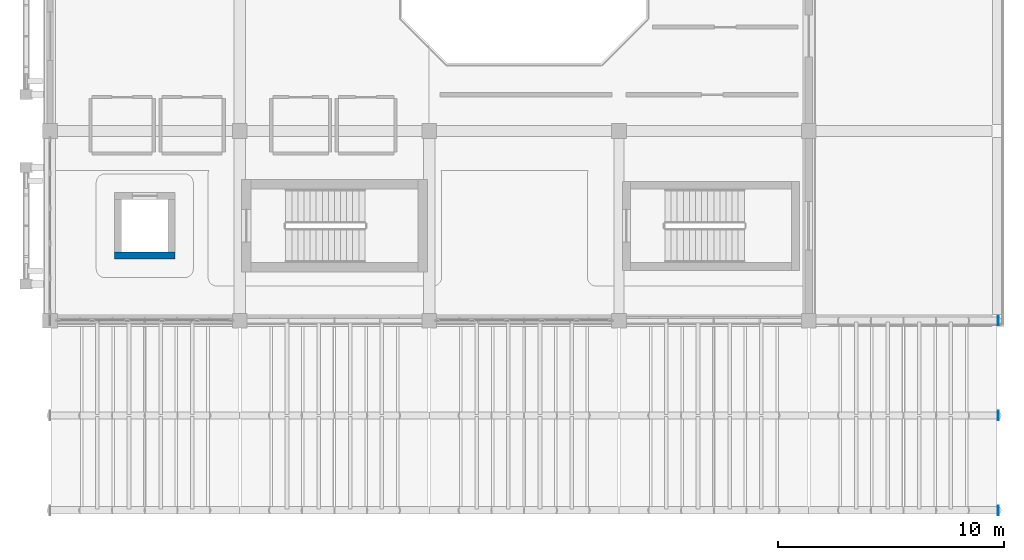
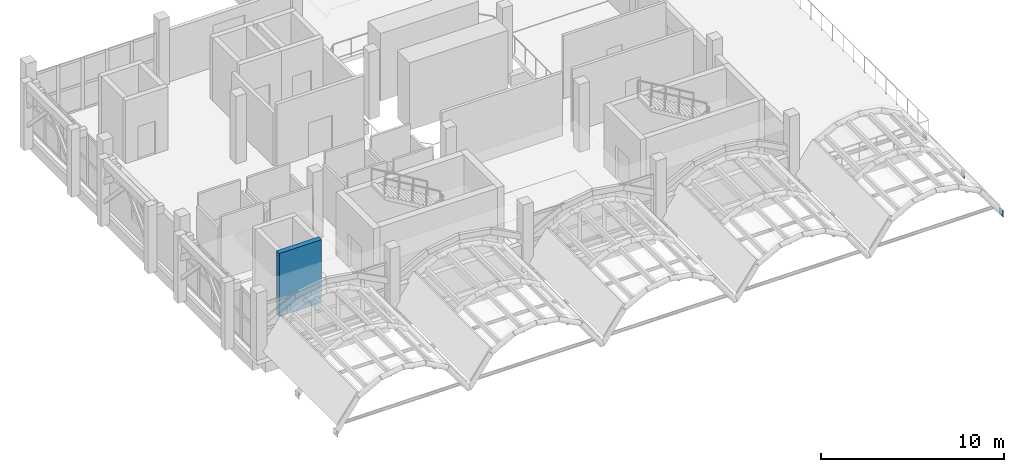
# One storey, part 15 of 22: 3 plates, 1 wall.
"""IFC4 building model written with IfcOpenShell, lengths in metres."""

from ifc_helpers import new_model, si_unit, direction, frame, frame_2d, origin, origin_2d, place, context, subcontext, project, spatial, rectangle, extrude, material, layer, layer_set, type_object, element, save


model = new_model("IFC4")

# Units and contexts
model_context = context("Model", 3, precision=1e-05, world=origin(), true_north=direction((0.0, 1.0)))
body_context = subcontext(model_context, "Body", "Model", "MODEL_VIEW")
ifc_project = project(units=[si_unit("LENGTHUNIT", "METRE"), si_unit("AREAUNIT", "SQUARE_METRE"), si_unit("VOLUMEUNIT", "CUBIC_METRE"), si_unit("PLANEANGLEUNIT", "RADIAN"), si_unit("MASSUNIT", "GRAM", prefix="KILO")], contexts=[model_context])

# Site, building, storey
site_placement = place(None, origin())
site = spatial("IfcSite", under=ifc_project, at=site_placement, CompositionType="ELEMENT")
building_placement = place(site_placement, origin())
building = spatial("IfcBuilding", under=site, at=building_placement, Name="Xazarin Passage Department Store", CompositionType="ELEMENT")
storey_placement = place(building_placement, frame((0.0, 0.0, 27.89990234375)))
storey = spatial("IfcBuildingStorey", under=building, at=storey_placement, Name="L06", CompositionType="ELEMENT", Elevation=27.89990234375)

# Plates
ifc_material_1 = material(Name="Steel S355", Category="steel")
ifc_layer_1 = layer(ifc_material_1, 0.02001953125)
ifc_layer_set_1 = layer_set([ifc_layer_1], Name="Steel S355")
plate_type = type_object("IfcPlateType", Name="STR-PLT-CAP20", PredefinedType="USERDEFINED", material=ifc_layer_set_1)
for number, where, z_axis, x_axis, name in (
    (1, (42.0, 68.0, -0.2099609375), (0.0, 0.0, 1.0), (1.0, 0.0, 0.0), "L06 V1S Shell Arch Rib End Cap 5.1.E"),
    (2, (42.0, 72.199951171875, -0.2099609375), (0.0, 0.0, 1.0), (1.0, 0.0, 0.0), "L06 V1S Shell Arch Rib End Cap 5.2.E"),
    (3, (42.0, 76.39990234375, -0.2099609375), (0.0, 0.0, 1.0), (1.0, 0.0, 0.0), "L06 V1S Shell Arch Rib End Cap 5.3.E"),
):
    element("IfcPlate", number, at=place(storey_placement, frame(where, z_axis=z_axis, x_axis=x_axis)), inside=storey, type_object=plate_type, Name=name, ObjectType="GUSSET PLATE", PredefinedType="USERDEFINED", context=body_context, shape_type="SweptSolid", body=[
        extrude(rectangle(XDim=0.035888671875, YDim=0.419921875, at=origin_2d()), origin(), (0.0, 0.0, 1.0), 0.419921875),
    ])

# Wall
ifc_material_2 = material(Name="Concrete C40/50", Category="concrete")
ifc_layer_2 = layer(ifc_material_2, 0.31005859375)
ifc_layer_set_2 = layer_set([ifc_layer_2], Name="Concrete C40/50")
wall_type = type_object("IfcWallType", Name="STR-W-LFT310", PredefinedType="SHEAR", material=ifc_layer_set_2)
wall_placement = place(storey_placement, frame((2.8701171875, 79.27490234375, 0.0), z_axis=(0.0, 0.0, 1.0), x_axis=(1.0, 0.0, 0.0)))
element("IfcWall", 4, at=wall_placement, inside=storey, type_object=wall_type, Name="L06 Lift PL1 Shaft Wall South", PredefinedType="SHEAR", context=body_context, shape_type="SweptSolid", body=[
    extrude(rectangle(XDim=2.659912109375, YDim=0.31005859375, at=frame_2d((1.330078125, 0.0))), origin(), (0.0, 0.0, 1.0), 4.2001953125),
])

save(model, "model.ifc")
